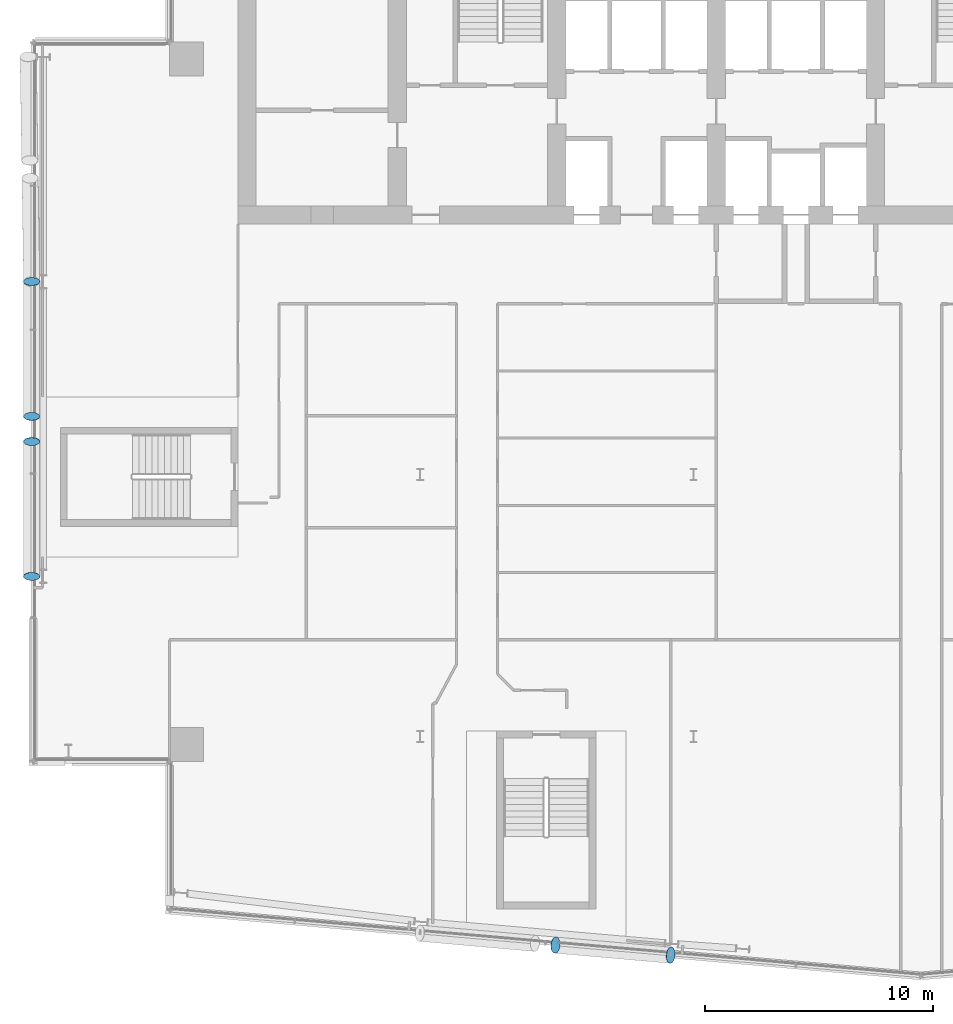
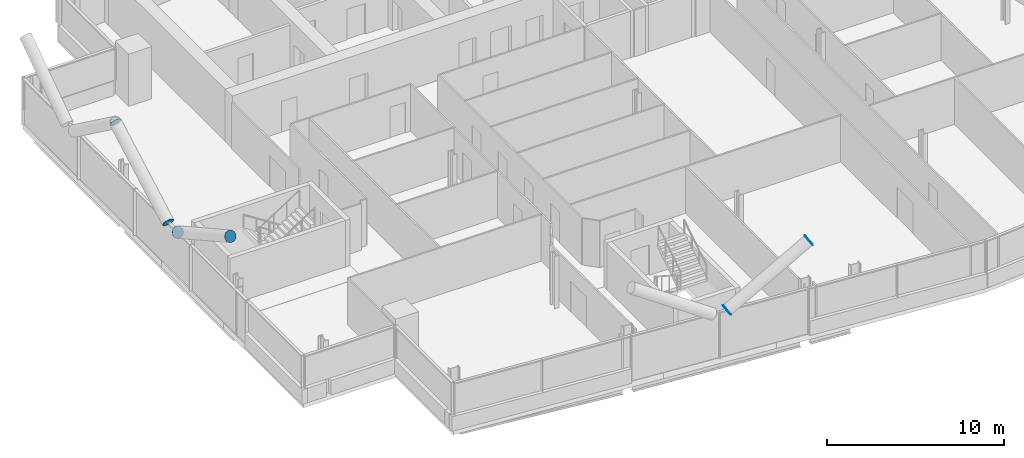
# One storey, part 20 of 26: 6 discrete accessories.
"""IFC4 building model written with IfcOpenShell, lengths in metres."""

from ifc_helpers import new_model, si_unit, direction, frame, origin, origin_2d, place, context, subcontext, project, spatial, circle, extrude, material, material_profile, profile_set, type_object, element, save


model = new_model("IFC4")

# Units and contexts
model_context = context("Model", 3, precision=1e-05, world=origin(), true_north=direction((0.0, 1.0)))
body_context = subcontext(model_context, "Body", "Model", "MODEL_VIEW")
ifc_project = project(units=[si_unit("LENGTHUNIT", "METRE"), si_unit("AREAUNIT", "SQUARE_METRE"), si_unit("VOLUMEUNIT", "CUBIC_METRE"), si_unit("PLANEANGLEUNIT", "RADIAN"), si_unit("MASSUNIT", "GRAM", prefix="KILO")], contexts=[model_context])

# Site, building, storey
site_placement = place(None, origin())
site = spatial("IfcSite", under=ifc_project, at=site_placement, CompositionType="ELEMENT")
building_placement = place(site_placement, origin())
building = spatial("IfcBuilding", under=site, at=building_placement, Name="Wharfspan Tower", CompositionType="ELEMENT")
storey_placement = place(building_placement, frame((0.0, 0.0, 166.300049)))
storey = spatial("IfcBuildingStorey", under=building, at=storey_placement, Name="L40", CompositionType="ELEMENT", Elevation=166.300049)

# Discrete accessories
ifc_material = material(Name="Steel S460NH", Category="steel")
ifc_material_profile = material_profile(ifc_material, circle(Radius=0.355469, at=origin_2d()))
ifc_profile_set = profile_set([ifc_material_profile], Name="Steel S460NH")
discrete_accessory_type = type_object("IfcDiscreteAccessoryType", Name="End plate CHS 711x36", PredefinedType="BRACKET", material=ifc_profile_set)
for number, where, z_axis, x_axis, name in (
    (1, (29.938721, 2.337891, 3.190186), (0.82608, -0.072889, 0.558819), (0.087894, 0.99613, -1e-06), "End plate CHS 711x36"),
    (2, (34.995117, 1.895508, 6.5), (0.844416, -0.072379, 0.530776), (0.085402, 0.99635, 0.0), "End plate CHS 711x36"),
    (3, (6.945068, 24.454346, 3.203613), (0.0, -0.874157, 0.485643), (1.0, 0.0, 0.0), "End plate CHS 711x36"),
    (4, (6.945068, 18.533447, 6.5), (0.0, -0.874157, 0.485643), (1.0, 0.0, 0.0), "End plate CHS 711x36"),
    (5, (6.945068, 25.545654, 3.203613), (0.0, 0.874157, 0.485643), (-1.0, 0.0, 0.0), "End plate CHS 711x36"),
    (6, (6.945068, 31.466553, 6.5), (0.0, 0.874157, 0.485643), (-1.0, 0.0, 0.0), "End plate CHS 711x36"),
):
    element("IfcDiscreteAccessory", number, at=place(storey_placement, frame(where, z_axis=z_axis, x_axis=x_axis)), inside=storey, type_object=discrete_accessory_type, Name=name, PredefinedType="BRACKET", context=body_context, shape_type="SweptSolid", body=[
        extrude(circle(Radius=0.355469, at=origin_2d()), origin(), (0.0, 0.0, 1.0), 0.01001),
    ])

save(model, "model.ifc")
